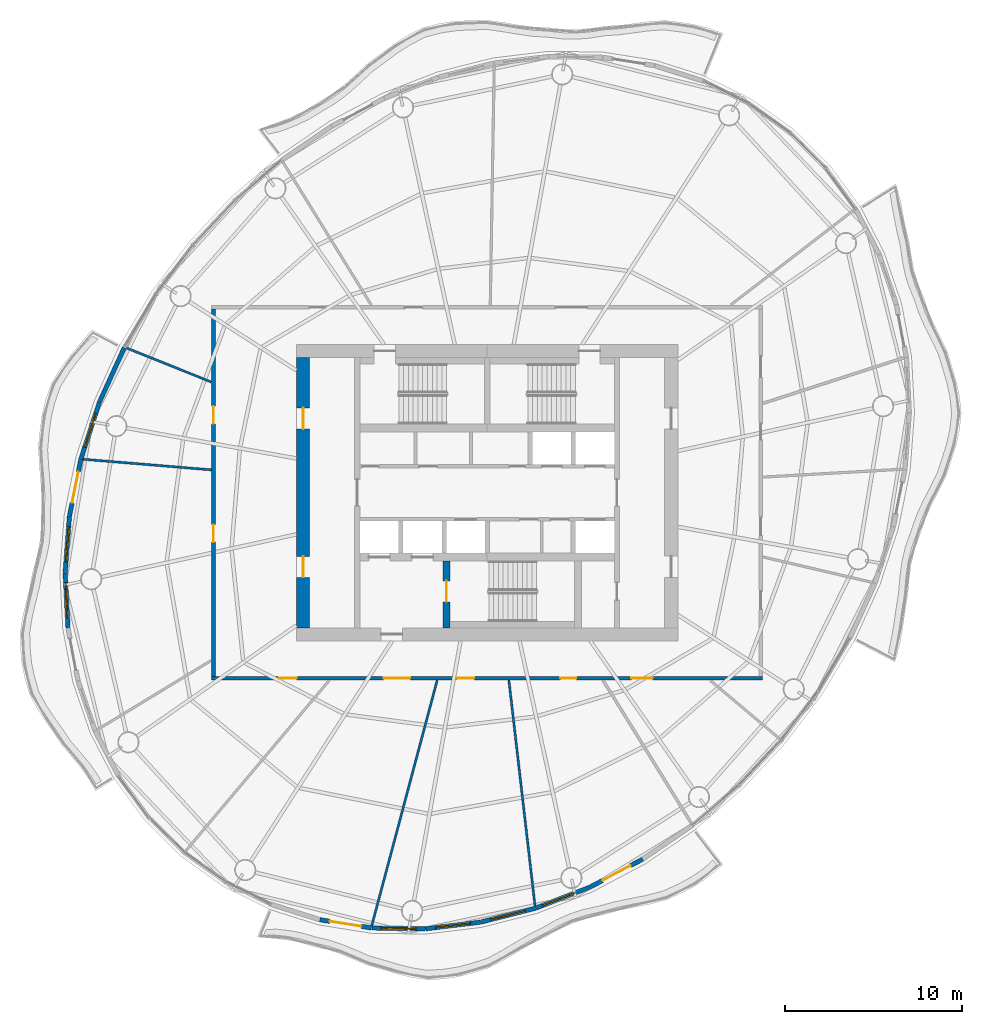
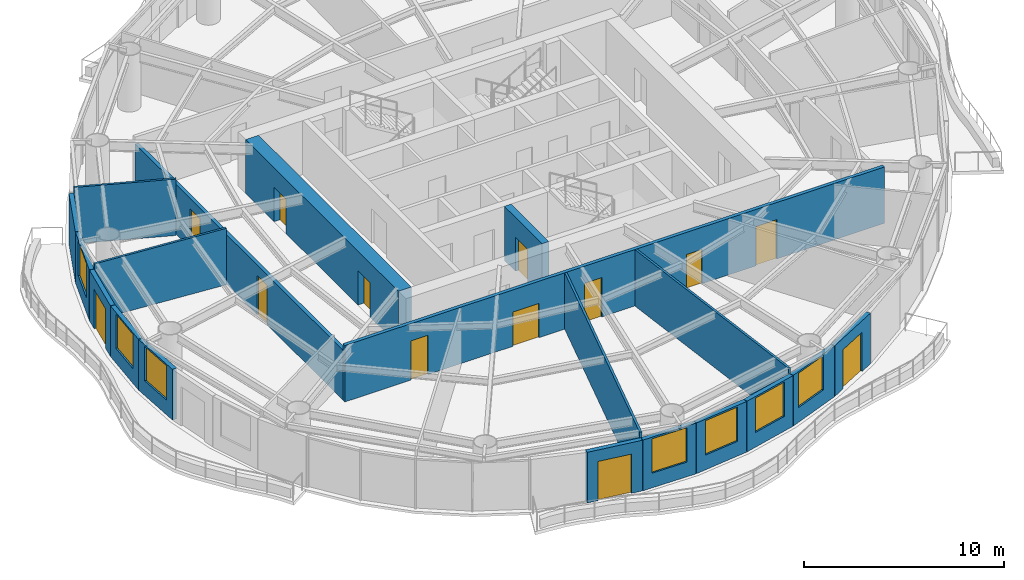
# One storey, part 8 of 14: 19 walls, 13 doors, 7 windows, 20 openings.
"""IFC4 building model written with IfcOpenShell, lengths in metres."""

from ifc_helpers import new_model, si_unit, direction, frame, frame_2d, origin, place, context, subcontext, project, spatial, rectangle, extrude, material, layer, layer_set, type_object, element, fill, save


model = new_model("IFC4")

# Units and contexts
model_context = context("Model", 3, precision=1e-05, world=origin(), true_north=direction((0.0, 1.0)))
body_context = subcontext(model_context, "Body", "Model", "MODEL_VIEW")
ifc_project = project(units=[si_unit("LENGTHUNIT", "METRE"), si_unit("AREAUNIT", "SQUARE_METRE"), si_unit("VOLUMEUNIT", "CUBIC_METRE"), si_unit("PLANEANGLEUNIT", "RADIAN"), si_unit("MASSUNIT", "GRAM", prefix="KILO")], contexts=[model_context])

# Site, building, storey
site_placement = place(None, origin())
site = spatial("IfcSite", under=ifc_project, at=site_placement, CompositionType="ELEMENT")
building_placement = place(site_placement, origin())
building = spatial("IfcBuilding", under=site, at=building_placement, Name="Vermilion Reach Broadcast Tower", CompositionType="ELEMENT")
storey_placement = place(building_placement, frame((0.0, 0.0, 231.699951171875)))
storey = spatial("IfcBuildingStorey", under=building, at=storey_placement, Name="L57", CompositionType="ELEMENT", Elevation=231.699951171875)

# Wall, opening, door
ifc_material_1 = material(Name="Concrete C60", Category="concrete")
ifc_layer_1 = layer(ifc_material_1, 0.39990234375)
ifc_layer_set_1 = layer_set([ifc_layer_1], Name="Core inner wall 400 mm Concrete C60")
wall_type_1 = type_object("IfcWallType", Name="Core inner wall 400 mm Concrete C60", PredefinedType="SHEAR", material=ifc_layer_set_1)
wall_1_placement = place(storey_placement, frame((-8.300048828125, -3.8798828125, 0.0), z_axis=(0.0, 0.0, 1.0), x_axis=(0.0, -1.0, 0.0)))
wall_1 = element("IfcWall", 1, at=wall_1_placement, inside=storey, type_object=wall_type_1, Name="L57 core wall wa", PredefinedType="SHEAR", context=body_context, shape_type="SweptSolid", body=[
    extrude(rectangle(XDim=3.77001953125, YDim=0.39990234375, at=frame_2d((1.885009765625, 0.0))), origin(), (0.0, 0.0, 1.0), 3.300048828125),
])
opening_1_placement = place(wall_1_placement, frame((1.110107421875, 0.0, 0.0)))
opening_1 = element("IfcOpeningElement", 2, at=opening_1_placement, cuts=wall_1, Name="Opening D01", PredefinedType="OPENING", context=body_context, shape_type="SweptSolid", body=[
    extrude(rectangle(XDim=1.199951171875, YDim=2.10009765625, at=frame_2d((0.60009765625, 1.050048828125))), frame((0.0, 0.2099609375, 0.0), z_axis=(0.0, -1.0, 0.0), x_axis=(1.0, 0.0, 0.0)), (0.0, 0.0, 1.0), 0.419921875),
])
ifc_material_2 = material(Name="Painted steel fire door", Category="steel")
door_type_1 = type_object("IfcDoorType", Name="Stair door 1200 x 2100", OperationType="DOUBLE_DOOR_SINGLE_SWING", PredefinedType="NOTDEFINED", material=ifc_material_2)
door_1_placement = place(opening_1_placement, origin())
door_1 = element("IfcDoor", 3, at=door_1_placement, inside=storey, type_object=door_type_1, Name="L57 stair door ST3", OperationType="DOUBLE_DOOR_SINGLE_SWING", OverallHeight=2.10009765625, OverallWidth=1.199951171875, PredefinedType="NOTDEFINED", context=body_context, shape_type="SweptSolid", body=[
    extrude(rectangle(XDim=1.199951171875, YDim=2.10009765625, at=frame_2d((0.60009765625, 1.050048828125))), frame((0.0, 0.02490234375, 0.0), z_axis=(0.0, -1.0, 0.0), x_axis=(1.0, 0.0, 0.0)), (0.0, 0.0, 1.0), 0.050048828125),
])
fill(opening_1, door_1)

# Wall, openings, doors
ifc_material_3 = material(Name="Concrete C60", Category="concrete")
ifc_layer_2 = layer(ifc_material_3, 0.75)
ifc_layer_set_2 = layer_set([ifc_layer_2], Name="Core outer wall 750 mm Concrete C60")
wall_type_2 = type_object("IfcWallType", Name="Core outer wall 750 mm Concrete C60", PredefinedType="SHEAR", material=ifc_layer_set_2)
wall_2_placement = place(storey_placement, frame((-16.425048828125, 7.64990234375, 0.0), z_axis=(0.0, 0.0, 1.0), x_axis=(0.0, -1.0, 0.0)))
wall_2 = element("IfcWall", 4, at=wall_2_placement, inside=storey, type_object=wall_type_2, Name="L57 core wall ow", PredefinedType="SHEAR", context=body_context, shape_type="SweptSolid", body=[
    extrude(rectangle(XDim=15.2998046875, YDim=0.75, at=frame_2d((7.64990234375, 0.0))), origin(), (0.0, 0.0, 1.0), 3.300048828125),
])
opening_2_placement = place(wall_2_placement, frame((11.25, 0.0, 0.0)))
opening_2 = element("IfcOpeningElement", 5, at=opening_2_placement, cuts=wall_2, Name="Opening D03", PredefinedType="OPENING", context=body_context, shape_type="SweptSolid", body=[
    extrude(rectangle(XDim=1.199951171875, YDim=2.10009765625, at=frame_2d((0.60009765625, 1.050048828125))), frame((0.0, 0.385009765625, 0.0), z_axis=(0.0, -1.0, 0.0), x_axis=(1.0, 0.0, 0.0)), (0.0, 0.0, 1.0), 0.77001953125),
])
opening_3_placement = place(wall_2_placement, frame((2.85009765625, 0.0, 0.0)))
opening_3 = element("IfcOpeningElement", 6, at=opening_3_placement, cuts=wall_2, Name="Opening D03", PredefinedType="OPENING", context=body_context, shape_type="SweptSolid", body=[
    extrude(rectangle(XDim=1.199951171875, YDim=2.10009765625, at=frame_2d((0.60009765625, 1.050048828125))), frame((0.0, 0.385009765625, 0.0), z_axis=(0.0, -1.0, 0.0), x_axis=(1.0, 0.0, 0.0)), (0.0, 0.0, 1.0), 0.77001953125),
])
ifc_material_4 = material(Name="Painted steel fire door", Category="steel")
door_type_2 = type_object("IfcDoorType", Name="Core lobby door 1200 x 2100", OperationType="DOUBLE_DOOR_SINGLE_SWING", PredefinedType="NOTDEFINED", material=ifc_material_4)
door_2_placement = place(opening_2_placement, origin())
door_2 = element("IfcDoor", 7, at=door_2_placement, inside=storey, type_object=door_type_2, Name="L57 slot door W0", OperationType="DOUBLE_DOOR_SINGLE_SWING", OverallHeight=2.10009765625, OverallWidth=1.199951171875, PredefinedType="NOTDEFINED", context=body_context, shape_type="SweptSolid", body=[
    extrude(rectangle(XDim=1.199951171875, YDim=2.10009765625, at=frame_2d((0.60009765625, 1.050048828125))), frame((0.0, 0.02490234375, 0.0), z_axis=(0.0, -1.0, 0.0), x_axis=(1.0, 0.0, 0.0)), (0.0, 0.0, 1.0), 0.050048828125),
])
fill(opening_2, door_2)
door_3_placement = place(opening_3_placement, origin())
door_3 = element("IfcDoor", 8, at=door_3_placement, inside=storey, type_object=door_type_2, Name="L57 slot door W1", OperationType="DOUBLE_DOOR_SINGLE_SWING", OverallHeight=2.10009765625, OverallWidth=1.199951171875, PredefinedType="NOTDEFINED", context=body_context, shape_type="SweptSolid", body=[
    extrude(rectangle(XDim=1.199951171875, YDim=2.10009765625, at=frame_2d((0.60009765625, 1.050048828125))), frame((0.0, 0.02490234375, 0.0), z_axis=(0.0, -1.0, 0.0), x_axis=(1.0, 0.0, 0.0)), (0.0, 0.0, 1.0), 0.050048828125),
])
fill(opening_3, door_3)

ifc_material_5 = material(Name="Fire-rated gypsum board partition")
ifc_layer_3 = layer(ifc_material_5, 0.199951171875)
ifc_layer_set_3 = layer_set([ifc_layer_3], Name="Corridor wall 200 fire-rated")
wall_type_3 = type_object("IfcWallType", Name="Corridor wall 200 fire-rated", PredefinedType="PARTITIONING", material=ifc_layer_set_3)
wall_3_placement = place(storey_placement, frame((9.60009765625, -10.5, 0.0), z_axis=(0.0, 0.0, 1.0), x_axis=(-1.0, 0.0, 0.0)))
wall_3 = element("IfcWall", 9, at=wall_3_placement, inside=storey, type_object=wall_type_3, Name="Corridor wall 57.S", PredefinedType="PARTITIONING", context=body_context, shape_type="SweptSolid", body=[
    extrude(rectangle(XDim=31.2001953125, YDim=0.199951171875, at=frame_2d((15.60009765625, 0.0))), origin(), (0.0, 0.0, 1.0), 3.449951171875),
])
opening_4_placement = place(wall_3_placement, frame((26.388916015625, 0.0, 0.0)))
opening_4 = element("IfcOpeningElement", 10, at=opening_4_placement, cuts=wall_3, Name="Opening D23", PredefinedType="OPENING", context=body_context, shape_type="SweptSolid", body=[
    extrude(rectangle(XDim=1.0, YDim=2.39990234375, at=frame_2d((0.5, 1.199951171875))), frame((0.0, 0.10986328125, 0.0), z_axis=(0.0, -1.0, 0.0), x_axis=(1.0, 0.0, 0.0)), (0.0, 0.0, 1.0), 0.219970703125),
])
opening_5_placement = place(wall_3_placement, frame((19.96875, 0.0, 0.0)))
opening_5 = element("IfcOpeningElement", 11, at=opening_5_placement, cuts=wall_3, Name="Opening D24", PredefinedType="OPENING", context=body_context, shape_type="SweptSolid", body=[
    extrude(rectangle(XDim=1.5, YDim=2.10009765625, at=frame_2d((0.75, 1.050048828125))), frame((0.0, 0.10986328125, 0.0), z_axis=(0.0, -1.0, 0.0), x_axis=(1.0, 0.0, 0.0)), (0.0, 0.0, 1.0), 0.219970703125),
])
opening_6_placement = place(wall_3_placement, frame((16.344482421875, 0.0, 0.0)))
opening_6 = element("IfcOpeningElement", 12, at=opening_6_placement, cuts=wall_3, Name="Opening D23", PredefinedType="OPENING", context=body_context, shape_type="SweptSolid", body=[
    extrude(rectangle(XDim=1.0, YDim=2.39990234375, at=frame_2d((0.5, 1.199951171875))), frame((0.0, 0.10986328125, 0.0), z_axis=(0.0, -1.0, 0.0), x_axis=(1.0, 0.0, 0.0)), (0.0, 0.0, 1.0), 0.219970703125),
])
opening_7_placement = place(wall_3_placement, frame((10.548583984375, 0.0, 0.0)))
opening_7 = element("IfcOpeningElement", 13, at=opening_7_placement, cuts=wall_3, Name="Opening D22", PredefinedType="OPENING", context=body_context, shape_type="SweptSolid", body=[
    extrude(rectangle(XDim=0.89990234375, YDim=2.10009765625, at=frame_2d((0.449951171875, 1.050048828125))), frame((0.0, 0.10986328125, 0.0), z_axis=(0.0, -1.0, 0.0), x_axis=(1.0, 0.0, 0.0)), (0.0, 0.0, 1.0), 0.219970703125),
])
opening_8_placement = place(wall_3_placement, frame((6.227783203125, 0.0, 0.0)))
opening_8 = element("IfcOpeningElement", 14, at=opening_8_placement, cuts=wall_3, Name="Opening D29", PredefinedType="OPENING", context=body_context, shape_type="SweptSolid", body=[
    extrude(rectangle(XDim=1.199951171875, YDim=2.39990234375, at=frame_2d((0.60009765625, 1.199951171875))), frame((0.0, 0.10986328125, 0.0), z_axis=(0.0, -1.0, 0.0), x_axis=(1.0, 0.0, 0.0)), (0.0, 0.0, 1.0), 0.219970703125),
])
ifc_material_6 = material(Name="Timber door leaf", Category="wood")
door_type_3 = type_object("IfcDoorType", Name="Door pair 1500x2100", OperationType="NOTDEFINED", PredefinedType="DOOR", material=ifc_material_6)
door_4_placement = place(opening_5_placement, origin())
door_4 = element("IfcDoor", 15, at=door_4_placement, inside=storey, type_object=door_type_3, Name="Door 57.06", OperationType="DOUBLE_DOOR_SINGLE_SWING", OverallHeight=2.10009765625, OverallWidth=1.5, PredefinedType="DOOR", context=body_context, shape_type="SweptSolid", body=[
    extrude(rectangle(XDim=1.5, YDim=2.10009765625, at=frame_2d((0.75, 1.050048828125))), frame((0.0, 0.02490234375, 0.0), z_axis=(0.0, -1.0, 0.0), x_axis=(1.0, 0.0, 0.0)), (0.0, 0.0, 1.0), 0.050048828125),
])
fill(opening_5, door_4)
ifc_material_7 = material(Name="Veneered timber door leaf", Category="wood")
door_type_4 = type_object("IfcDoorType", Name="Door single 1000x2400", OperationType="NOTDEFINED", PredefinedType="DOOR", material=ifc_material_7)
door_5_placement = place(opening_4_placement, origin())
door_5 = element("IfcDoor", 16, at=door_5_placement, inside=storey, type_object=door_type_4, Name="Door 57.05", OperationType="SINGLE_SWING_LEFT", OverallHeight=2.39990234375, OverallWidth=1.0, PredefinedType="DOOR", context=body_context, shape_type="SweptSolid", body=[
    extrude(rectangle(XDim=1.0, YDim=2.39990234375, at=frame_2d((0.5, 1.199951171875))), frame((0.0, 0.02490234375, 0.0), z_axis=(0.0, -1.0, 0.0), x_axis=(1.0, 0.0, 0.0)), (0.0, 0.0, 1.0), 0.050048828125),
])
fill(opening_4, door_5)
door_6_placement = place(opening_6_placement, origin())
door_6 = element("IfcDoor", 17, at=door_6_placement, inside=storey, type_object=door_type_4, Name="Door 57.07", OperationType="SINGLE_SWING_RIGHT", OverallHeight=2.39990234375, OverallWidth=1.0, PredefinedType="DOOR", context=body_context, shape_type="SweptSolid", body=[
    extrude(rectangle(XDim=1.0, YDim=2.39990234375, at=frame_2d((0.5, 1.199951171875))), frame((0.0, 0.02490234375, 0.0), z_axis=(0.0, -1.0, 0.0), x_axis=(1.0, 0.0, 0.0)), (0.0, 0.0, 1.0), 0.050048828125),
])
fill(opening_6, door_6)
ifc_material_8 = material(Name="Veneered timber door leaf", Category="wood")
door_type_5 = type_object("IfcDoorType", Name="Door single 1200x2400", OperationType="NOTDEFINED", PredefinedType="DOOR", material=ifc_material_8)
door_7_placement = place(opening_8_placement, origin())
door_7 = element("IfcDoor", 18, at=door_7_placement, inside=storey, type_object=door_type_5, Name="Door 57.09", OperationType="SINGLE_SWING_RIGHT", OverallHeight=2.39990234375, OverallWidth=1.199951171875, PredefinedType="DOOR", context=body_context, shape_type="SweptSolid", body=[
    extrude(rectangle(XDim=1.199951171875, YDim=2.39990234375, at=frame_2d((0.60009765625, 1.199951171875))), frame((0.0, 0.02490234375, 0.0), z_axis=(0.0, -1.0, 0.0), x_axis=(1.0, 0.0, 0.0)), (0.0, 0.0, 1.0), 0.050048828125),
])
fill(opening_8, door_7)
ifc_material_9 = material(Name="Timber door leaf", Category="wood")
door_type_6 = type_object("IfcDoorType", Name="Door single 900x2100", OperationType="NOTDEFINED", PredefinedType="DOOR", material=ifc_material_9)
door_8_placement = place(opening_7_placement, origin())
door_8 = element("IfcDoor", 19, at=door_8_placement, inside=storey, type_object=door_type_6, Name="Door 57.08", OperationType="SINGLE_SWING_LEFT", OverallHeight=2.10009765625, OverallWidth=0.89990234375, PredefinedType="DOOR", context=body_context, shape_type="SweptSolid", body=[
    extrude(rectangle(XDim=0.89990234375, YDim=2.10009765625, at=frame_2d((0.449951171875, 1.050048828125))), frame((0.0, 0.02490234375, 0.0), z_axis=(0.0, -1.0, 0.0), x_axis=(1.0, 0.0, 0.0)), (0.0, 0.0, 1.0), 0.050048828125),
])
fill(opening_7, door_8)

# Walls
ifc_material_10 = material(Name="Fire-rated plasterboard on steel stud", Category="steel")
ifc_layer_4 = layer(ifc_material_10, 0.125)
ifc_layer_set_4 = layer_set([ifc_layer_4], Name="Partition 125 fire-rated stud")
wall_type_4 = type_object("IfcWallType", Name="Partition 125 fire-rated stud", PredefinedType="PARTITIONING", material=ifc_layer_set_4)
wall_4_placement = place(storey_placement, frame((-26.4228515625, 8.1943359375, 0.0), z_axis=(0.0, 0.0, 1.0), x_axis=(0.928078954296, -0.372383477872, 0.0)))
element("IfcWall", 20, at=wall_4_placement, inside=storey, type_object=wall_type_4, Name="Partition 57.03", PredefinedType="PARTITIONING", context=body_context, shape_type="SweptSolid", body=[
    extrude(rectangle(XDim=5.17138671875, YDim=0.125, at=frame_2d((2.585693359375, 0.0))), origin(), (0.0, 0.0, 1.0), 3.449951171875),
])
wall_5_placement = place(storey_placement, frame((-28.883544921875, 1.89404296875, 0.0), z_axis=(0.0, 0.0, 1.0), x_axis=(0.996590797754, -0.08250322316, 0.0)))
element("IfcWall", 21, at=wall_5_placement, inside=storey, type_object=wall_type_4, Name="Partition 57.04", PredefinedType="PARTITIONING", context=body_context, shape_type="SweptSolid", body=[
    extrude(rectangle(XDim=7.30322265625, YDim=0.125, at=frame_2d((3.651611328125, 0.0))), origin(), (0.0, 0.0, 1.0), 3.449951171875),
])
wall_6_placement = place(storey_placement, frame((-12.537841796875, -24.52783203125, 0.0), z_axis=(0.0, 0.0, 1.0), x_axis=(0.257564493881, 0.966261109376, 0.0)))
element("IfcWall", 22, at=wall_6_placement, inside=storey, type_object=wall_type_4, Name="Partition 57.07", PredefinedType="PARTITIONING", context=body_context, shape_type="SweptSolid", body=[
    extrude(rectangle(XDim=14.3974609375, YDim=0.125, at=frame_2d((7.19873046875, 0.0))), origin(), (0.0, 0.0, 1.0), 3.449951171875),
])
wall_7_placement = place(storey_placement, frame((-3.2890625, -23.41357421875, 0.0), z_axis=(0.0, 0.0, 1.0), x_axis=(-0.115007216791, 0.993364656149, 0.0)))
element("IfcWall", 23, at=wall_7_placement, inside=storey, type_object=wall_type_4, Name="Partition 57.08", PredefinedType="PARTITIONING", context=body_context, shape_type="SweptSolid", body=[
    extrude(rectangle(XDim=12.891845703125, YDim=0.125, at=frame_2d((6.44580078125, 0.0))), origin(), (0.0, 0.0, 1.0), 3.449951171875),
])
ifc_material_11 = material(Name="Terracotta rainscreen cladding", Category="masonry")
ifc_layer_5 = layer(ifc_material_11, 0.25)
ifc_layer_set_5 = layer_set([ifc_layer_5], Name="Terracotta rainscreen wall 250")
wall_type_5 = type_object("IfcWallType", Name="Terracotta rainscreen wall 250", PredefinedType="SOLIDWALL", material=ifc_layer_set_5)
wall_8_placement = place(storey_placement, frame((-26.556396484375, 8.202392578125, 0.0), z_axis=(0.0, 0.0, 1.0), x_axis=(-0.415284514337, -0.909691580785, 0.0)))
element("IfcWall", 24, at=wall_8_placement, inside=storey, type_object=wall_type_5, Name="External wall L57 14", PredefinedType="SOLIDWALL", context=body_context, shape_type="SweptSolid", body=[
    extrude(rectangle(XDim=3.36328125, YDim=0.25, at=frame_2d((1.681640625, 0.0))), origin(), (0.0, 0.0, 1.0), 3.10009765625),
])

# Wall, opening, window
wall_9_placement = place(storey_placement, frame((-27.961181640625, 5.122314453125, 0.0), z_axis=(0.0, 0.0, 1.0), x_axis=(-0.310298321168, -0.950639233295, 0.0)))
wall_9 = element("IfcWall", 25, at=wall_9_placement, inside=storey, type_object=wall_type_5, Name="External wall L57 15", PredefinedType="SOLIDWALL", context=body_context, shape_type="SweptSolid", body=[
    extrude(rectangle(XDim=3.35107421875, YDim=0.25, at=frame_2d((1.675537109375, 0.0))), origin(), (0.0, 0.0, 1.0), 3.10009765625),
])
opening_9_placement = place(wall_9_placement, frame((0.675537109375, 0.0, 0.89990234375)))
opening_9 = element("IfcOpeningElement", 26, at=opening_9_placement, cuts=wall_9, Name="Opening W03", PredefinedType="OPENING", context=body_context, shape_type="SweptSolid", body=[
    extrude(rectangle(XDim=2.0, YDim=2.10009765625, at=frame_2d((1.0, 1.050048828125))), frame((0.0, 0.135009765625, 0.0), z_axis=(0.0, -1.0, 0.0), x_axis=(1.0, 0.0, 0.0)), (0.0, 0.0, 1.0), 0.27001953125),
])
ifc_material_12 = material(Name="Low-e laminated clear glass in aluminium frame", Category="aluminium")
window_type = type_object("IfcWindowType", Name="Punched window 2000 x 2100 sill 900", PartitioningType="SINGLE_PANEL", PredefinedType="WINDOW", material=ifc_material_12)
window_1_placement = place(opening_9_placement, origin())
window_1 = element("IfcWindow", 27, at=window_1_placement, inside=storey, type_object=window_type, Name="Window L57 15", OverallHeight=2.10009765625, OverallWidth=2.0, PartitioningType="SINGLE_PANEL", PredefinedType="WINDOW", context=body_context, shape_type="SweptSolid", body=[
    extrude(rectangle(XDim=2.0, YDim=2.10009765625, at=frame_2d((1.0, 1.050048828125))), frame((0.0, 0.030029296875, 0.0), z_axis=(0.0, -1.0, 0.0), x_axis=(1.0, 0.0, 0.0)), (0.0, 0.0, 1.0), 0.06005859375),
])
fill(opening_9, window_1)

# Wall, opening, door
wall_10_placement = place(storey_placement, frame((-29.006591796875, 1.914794921875, 0.0), z_axis=(0.0, 0.0, 1.0), x_axis=(-0.197275160693, -0.980348158041, 0.0)))
wall_10 = element("IfcWall", 28, at=wall_10_placement, inside=storey, type_object=wall_type_5, Name="External wall L57 16", PredefinedType="SOLIDWALL", context=body_context, shape_type="SweptSolid", body=[
    extrude(rectangle(XDim=3.28076171875, YDim=0.25, at=frame_2d((1.640380859375, 0.0))), origin(), (0.0, 0.0, 1.0), 3.10009765625),
])
opening_10_placement = place(wall_10_placement, frame((0.739990234375, 0.0, 0.0)))
opening_10 = element("IfcOpeningElement", 29, at=opening_10_placement, cuts=wall_10, Name="Opening D70", PredefinedType="OPENING", context=body_context, shape_type="SweptSolid", body=[
    extrude(rectangle(XDim=1.800048828125, YDim=2.39990234375, at=frame_2d((0.89990234375, 1.199951171875))), frame((0.0, 0.135009765625, 0.0), z_axis=(0.0, -1.0, 0.0), x_axis=(1.0, 0.0, 0.0)), (0.0, 0.0, 1.0), 0.27001953125),
])
ifc_material_13 = material(Name="Low-e laminated clear glass in aluminium frame", Category="aluminium")
door_type_7 = type_object("IfcDoorType", Name="Balcony sliding door 1800 x 2400", OperationType="DOUBLE_DOOR_SLIDING", PredefinedType="DOOR", material=ifc_material_13)
door_9_placement = place(opening_10_placement, origin())
door_9 = element("IfcDoor", 30, at=door_9_placement, inside=storey, type_object=door_type_7, Name="Balcony door L57 run 04", OperationType="DOUBLE_DOOR_SLIDING", OverallHeight=2.39990234375, OverallWidth=1.800048828125, PredefinedType="DOOR", context=body_context, shape_type="SweptSolid", body=[
    extrude(rectangle(XDim=1.800048828125, YDim=2.39990234375, at=frame_2d((0.89990234375, 1.199951171875))), frame((0.0, 0.02490234375, 0.0), z_axis=(0.0, -1.0, 0.0), x_axis=(1.0, 0.0, 0.0)), (0.0, 0.0, 1.0), 0.050048828125),
])
fill(opening_10, door_9)

# Wall, opening, window
wall_11_placement = place(storey_placement, frame((-29.656982421875, -1.324462890625, 0.0), z_axis=(0.0, 0.0, 1.0), x_axis=(-0.076358161895, -0.997080453681, 0.0)))
wall_11 = element("IfcWall", 31, at=wall_11_placement, inside=storey, type_object=wall_type_5, Name="External wall L57 17", PredefinedType="SOLIDWALL", context=body_context, shape_type="SweptSolid", body=[
    extrude(rectangle(XDim=3.200439453125, YDim=0.25, at=frame_2d((1.60009765625, 0.0))), origin(), (0.0, 0.0, 1.0), 3.10009765625),
])
opening_11_placement = place(wall_11_placement, frame((0.600341796875, 0.0, 0.89990234375)))
opening_11 = element("IfcOpeningElement", 32, at=opening_11_placement, cuts=wall_11, Name="Opening W03", PredefinedType="OPENING", context=body_context, shape_type="SweptSolid", body=[
    extrude(rectangle(XDim=2.0, YDim=2.10009765625, at=frame_2d((1.0, 1.050048828125))), frame((0.0, 0.135009765625, 0.0), z_axis=(0.0, -1.0, 0.0), x_axis=(1.0, 0.0, 0.0)), (0.0, 0.0, 1.0), 0.27001953125),
])
window_2_placement = place(opening_11_placement, origin())
window_2 = element("IfcWindow", 33, at=window_2_placement, inside=storey, type_object=window_type, Name="Window L57 17", OverallHeight=2.10009765625, OverallWidth=2.0, PartitioningType="SINGLE_PANEL", PredefinedType="WINDOW", context=body_context, shape_type="SweptSolid", body=[
    extrude(rectangle(XDim=2.0, YDim=2.10009765625, at=frame_2d((1.0, 1.050048828125))), frame((0.0, 0.030029296875, 0.0), z_axis=(0.0, -1.0, 0.0), x_axis=(1.0, 0.0, 0.0)), (0.0, 0.0, 1.0), 0.06005859375),
])
fill(opening_11, window_2)

wall_12_placement = place(storey_placement, frame((-29.901611328125, -4.539794921875, 0.0), z_axis=(0.0, 0.0, 1.0), x_axis=(0.051884190685, -0.99865310832, 0.0)))
wall_12 = element("IfcWall", 34, at=wall_12_placement, inside=storey, type_object=wall_type_5, Name="External wall L57 18", PredefinedType="SOLIDWALL", context=body_context, shape_type="SweptSolid", body=[
    extrude(rectangle(XDim=3.114990234375, YDim=0.25, at=frame_2d((1.5576171875, 0.0))), origin(), (0.0, 0.0, 1.0), 3.10009765625),
])
opening_12_placement = place(wall_12_placement, frame((0.5576171875, 0.0, 0.89990234375)))
opening_12 = element("IfcOpeningElement", 35, at=opening_12_placement, cuts=wall_12, Name="Opening W03", PredefinedType="OPENING", context=body_context, shape_type="SweptSolid", body=[
    extrude(rectangle(XDim=2.0, YDim=2.10009765625, at=frame_2d((1.0, 1.050048828125))), frame((0.0, 0.135009765625, 0.0), z_axis=(0.0, -1.0, 0.0), x_axis=(1.0, 0.0, 0.0)), (0.0, 0.0, 1.0), 0.27001953125),
])
window_3_placement = place(opening_12_placement, origin())
window_3 = element("IfcWindow", 36, at=window_3_placement, inside=storey, type_object=window_type, Name="Window L57 18", OverallHeight=2.10009765625, OverallWidth=2.0, PartitioningType="SINGLE_PANEL", PredefinedType="WINDOW", context=body_context, shape_type="SweptSolid", body=[
    extrude(rectangle(XDim=2.0, YDim=2.10009765625, at=frame_2d((1.0, 1.050048828125))), frame((0.0, 0.030029296875, 0.0), z_axis=(0.0, -1.0, 0.0), x_axis=(1.0, 0.0, 0.0)), (0.0, 0.0, 1.0), 0.06005859375),
])
fill(opening_12, window_3)

# Wall, opening, door
wall_13_placement = place(storey_placement, frame((-15.4765625, -24.1865234375, 0.0), z_axis=(0.0, 0.0, 1.0), x_axis=(0.987576514549, -0.157138880968, 0.0)))
wall_13 = element("IfcWall", 37, at=wall_13_placement, inside=storey, type_object=wall_type_5, Name="External wall L57 27", PredefinedType="SOLIDWALL", context=body_context, shape_type="SweptSolid", body=[
    extrude(rectangle(XDim=2.951904296875, YDim=0.25, at=frame_2d((1.47607421875, 0.0))), origin(), (0.0, 0.0, 1.0), 3.10009765625),
])
opening_13_placement = place(wall_13_placement, frame((0.575927734375, 0.0, 0.0)))
opening_13 = element("IfcOpeningElement", 38, at=opening_13_placement, cuts=wall_13, Name="Opening D70", PredefinedType="OPENING", context=body_context, shape_type="SweptSolid", body=[
    extrude(rectangle(XDim=1.800048828125, YDim=2.39990234375, at=frame_2d((0.89990234375, 1.199951171875))), frame((0.0, 0.135009765625, 0.0), z_axis=(0.0, -1.0, 0.0), x_axis=(1.0, 0.0, 0.0)), (0.0, 0.0, 1.0), 0.27001953125),
])
door_10_placement = place(opening_13_placement, origin())
door_10 = element("IfcDoor", 39, at=door_10_placement, inside=storey, type_object=door_type_7, Name="Balcony door L57 run 07", OperationType="DOUBLE_DOOR_SLIDING", OverallHeight=2.39990234375, OverallWidth=1.800048828125, PredefinedType="DOOR", context=body_context, shape_type="SweptSolid", body=[
    extrude(rectangle(XDim=1.800048828125, YDim=2.39990234375, at=frame_2d((0.89990234375, 1.199951171875))), frame((0.0, 0.02490234375, 0.0), z_axis=(0.0, -1.0, 0.0), x_axis=(1.0, 0.0, 0.0)), (0.0, 0.0, 1.0), 0.050048828125),
])
fill(opening_13, door_10)

# Wall, opening, window
wall_14_placement = place(storey_placement, frame((-12.53564453125, -24.652587890625, 0.0), z_axis=(0.0, 0.0, 1.0), x_axis=(0.999880339465, -0.015469542722, 0.0)))
wall_14 = element("IfcWall", 40, at=wall_14_placement, inside=storey, type_object=wall_type_5, Name="External wall L57 28", PredefinedType="SOLIDWALL", context=body_context, shape_type="SweptSolid", body=[
    extrude(rectangle(XDim=3.030029296875, YDim=0.25, at=frame_2d((1.51513671875, 0.0))), origin(), (0.0, 0.0, 1.0), 3.10009765625),
])
opening_14_placement = place(wall_14_placement, frame((0.51513671875, 0.0, 0.89990234375)))
opening_14 = element("IfcOpeningElement", 41, at=opening_14_placement, cuts=wall_14, Name="Opening W03", PredefinedType="OPENING", context=body_context, shape_type="SweptSolid", body=[
    extrude(rectangle(XDim=2.0, YDim=2.10009765625, at=frame_2d((1.0, 1.050048828125))), frame((0.0, 0.135009765625, 0.0), z_axis=(0.0, -1.0, 0.0), x_axis=(1.0, 0.0, 0.0)), (0.0, 0.0, 1.0), 0.27001953125),
])
window_4_placement = place(opening_14_placement, origin())
window_4 = element("IfcWindow", 42, at=window_4_placement, inside=storey, type_object=window_type, Name="Window L57 28", OverallHeight=2.10009765625, OverallWidth=2.0, PartitioningType="SINGLE_PANEL", PredefinedType="WINDOW", context=body_context, shape_type="SweptSolid", body=[
    extrude(rectangle(XDim=2.0, YDim=2.10009765625, at=frame_2d((1.0, 1.050048828125))), frame((0.0, 0.030029296875, 0.0), z_axis=(0.0, -1.0, 0.0), x_axis=(1.0, 0.0, 0.0)), (0.0, 0.0, 1.0), 0.06005859375),
])
fill(opening_14, window_4)

wall_15_placement = place(storey_placement, frame((-9.48095703125, -24.6982421875, 0.0), z_axis=(0.0, 0.0, 1.0), x_axis=(0.992831895077, 0.119519153773, 0.0)))
wall_15 = element("IfcWall", 43, at=wall_15_placement, inside=storey, type_object=wall_type_5, Name="External wall L57 29", PredefinedType="SOLIDWALL", context=body_context, shape_type="SweptSolid", body=[
    extrude(rectangle(XDim=3.114990234375, YDim=0.25, at=frame_2d((1.5576171875, 0.0))), origin(), (0.0, 0.0, 1.0), 3.10009765625),
])
opening_15_placement = place(wall_15_placement, frame((0.5576171875, 0.0, 0.89990234375)))
opening_15 = element("IfcOpeningElement", 44, at=opening_15_placement, cuts=wall_15, Name="Opening W03", PredefinedType="OPENING", context=body_context, shape_type="SweptSolid", body=[
    extrude(rectangle(XDim=2.0, YDim=2.10009765625, at=frame_2d((1.0, 1.050048828125))), frame((0.0, 0.135009765625, 0.0), z_axis=(0.0, -1.0, 0.0), x_axis=(1.0, 0.0, 0.0)), (0.0, 0.0, 1.0), 0.27001953125),
])
window_5_placement = place(opening_15_placement, origin())
window_5 = element("IfcWindow", 45, at=window_5_placement, inside=storey, type_object=window_type, Name="Window L57 29", OverallHeight=2.10009765625, OverallWidth=2.0, PartitioningType="SINGLE_PANEL", PredefinedType="WINDOW", context=body_context, shape_type="SweptSolid", body=[
    extrude(rectangle(XDim=2.0, YDim=2.10009765625, at=frame_2d((1.0, 1.050048828125))), frame((0.0, 0.030029296875, 0.0), z_axis=(0.0, -1.0, 0.0), x_axis=(1.0, 0.0, 0.0)), (0.0, 0.0, 1.0), 0.06005859375),
])
fill(opening_15, window_5)

wall_16_placement = place(storey_placement, frame((-6.364501953125, -24.321533203125, 0.0), z_axis=(0.0, 0.0, 1.0), x_axis=(0.969361212149, 0.245639655554, 0.0)))
wall_16 = element("IfcWall", 46, at=wall_16_placement, inside=storey, type_object=wall_type_5, Name="External wall L57 30", PredefinedType="SOLIDWALL", context=body_context, shape_type="SweptSolid", body=[
    extrude(rectangle(XDim=3.200439453125, YDim=0.25, at=frame_2d((1.60009765625, 0.0))), origin(), (0.0, 0.0, 1.0), 3.10009765625),
])
opening_16_placement = place(wall_16_placement, frame((0.600341796875, 0.0, 0.89990234375)))
opening_16 = element("IfcOpeningElement", 47, at=opening_16_placement, cuts=wall_16, Name="Opening W03", PredefinedType="OPENING", context=body_context, shape_type="SweptSolid", body=[
    extrude(rectangle(XDim=2.0, YDim=2.10009765625, at=frame_2d((1.0, 1.050048828125))), frame((0.0, 0.135009765625, 0.0), z_axis=(0.0, -1.0, 0.0), x_axis=(1.0, 0.0, 0.0)), (0.0, 0.0, 1.0), 0.27001953125),
])
window_6_placement = place(opening_16_placement, origin())
window_6 = element("IfcWindow", 48, at=window_6_placement, inside=storey, type_object=window_type, Name="Window L57 30", OverallHeight=2.10009765625, OverallWidth=2.0, PartitioningType="SINGLE_PANEL", PredefinedType="WINDOW", context=body_context, shape_type="SweptSolid", body=[
    extrude(rectangle(XDim=2.0, YDim=2.10009765625, at=frame_2d((1.0, 1.050048828125))), frame((0.0, 0.030029296875, 0.0), z_axis=(0.0, -1.0, 0.0), x_axis=(1.0, 0.0, 0.0)), (0.0, 0.0, 1.0), 0.06005859375),
])
fill(opening_16, window_6)

wall_17_placement = place(storey_placement, frame((-3.239990234375, -23.5283203125, 0.0), z_axis=(0.0, 0.0, 1.0), x_axis=(0.932220972819, 0.361889565803, 0.0)))
wall_17 = element("IfcWall", 49, at=wall_17_placement, inside=storey, type_object=wall_type_5, Name="External wall L57 31", PredefinedType="SOLIDWALL", context=body_context, shape_type="SweptSolid", body=[
    extrude(rectangle(XDim=3.28076171875, YDim=0.25, at=frame_2d((1.640380859375, 0.0))), origin(), (0.0, 0.0, 1.0), 3.10009765625),
])
opening_17_placement = place(wall_17_placement, frame((0.389892578125, 0.0, 0.89990234375)))
opening_17 = element("IfcOpeningElement", 50, at=opening_17_placement, cuts=wall_17, Name="Opening W03", PredefinedType="OPENING", context=body_context, shape_type="SweptSolid", body=[
    extrude(rectangle(XDim=2.0, YDim=2.10009765625, at=frame_2d((1.0, 1.050048828125))), frame((0.0, 0.135009765625, 0.0), z_axis=(0.0, -1.0, 0.0), x_axis=(1.0, 0.0, 0.0)), (0.0, 0.0, 1.0), 0.27001953125),
])
window_7_placement = place(opening_17_placement, origin())
window_7 = element("IfcWindow", 51, at=window_7_placement, inside=storey, type_object=window_type, Name="Window L57 31", OverallHeight=2.10009765625, OverallWidth=2.0, PartitioningType="SINGLE_PANEL", PredefinedType="WINDOW", context=body_context, shape_type="SweptSolid", body=[
    extrude(rectangle(XDim=2.0, YDim=2.10009765625, at=frame_2d((1.0, 1.050048828125))), frame((0.0, 0.030029296875, 0.0), z_axis=(0.0, -1.0, 0.0), x_axis=(1.0, 0.0, 0.0)), (0.0, 0.0, 1.0), 0.06005859375),
])
fill(opening_17, window_7)

# Wall, opening, door
wall_18_placement = place(storey_placement, frame((-0.1611328125, -22.33154296875, 0.0), z_axis=(0.0, 0.0, 1.0), x_axis=(0.883644332984, 0.46815883286, 0.0)))
wall_18 = element("IfcWall", 52, at=wall_18_placement, inside=storey, type_object=wall_type_5, Name="External wall L57 32", PredefinedType="SOLIDWALL", context=body_context, shape_type="SweptSolid", body=[
    extrude(rectangle(XDim=3.35107421875, YDim=0.25, at=frame_2d((1.675537109375, 0.0))), origin(), (0.0, 0.0, 1.0), 3.10009765625),
])
opening_18_placement = place(wall_18_placement, frame((0.77587890625, 0.0, 0.0)))
opening_18 = element("IfcOpeningElement", 53, at=opening_18_placement, cuts=wall_18, Name="Opening D70", PredefinedType="OPENING", context=body_context, shape_type="SweptSolid", body=[
    extrude(rectangle(XDim=1.800048828125, YDim=2.39990234375, at=frame_2d((0.89990234375, 1.199951171875))), frame((0.0, 0.135009765625, 0.0), z_axis=(0.0, -1.0, 0.0), x_axis=(1.0, 0.0, 0.0)), (0.0, 0.0, 1.0), 0.27001953125),
])
door_11_placement = place(opening_18_placement, origin())
door_11 = element("IfcDoor", 54, at=door_11_placement, inside=storey, type_object=door_type_7, Name="Balcony door L57 run 08", OperationType="DOUBLE_DOOR_SLIDING", OverallHeight=2.39990234375, OverallWidth=1.800048828125, PredefinedType="DOOR", context=body_context, shape_type="SweptSolid", body=[
    extrude(rectangle(XDim=1.800048828125, YDim=2.39990234375, at=frame_2d((0.89990234375, 1.199951171875))), frame((0.0, 0.02490234375, 0.0), z_axis=(0.0, -1.0, 0.0), x_axis=(1.0, 0.0, 0.0)), (0.0, 0.0, 1.0), 0.050048828125),
])
fill(opening_18, door_11)

# Wall, openings, doors
ifc_material_14 = material(Name="Fire-rated gypsum board partition")
ifc_layer_6 = layer(ifc_material_14, 0.199951171875)
ifc_layer_set_6 = layer_set([ifc_layer_6], Name="Under girder: Corridor wall 200 fire-rated")
wall_type_6 = type_object("IfcWallType", Name="Under girder: Corridor wall 200 fire-rated", PredefinedType="PARTITIONING", material=ifc_layer_set_6)
wall_19_placement = place(storey_placement, frame((-21.5, -10.39990234375, 0.0), z_axis=(0.0, 0.0, 1.0), x_axis=(0.0, 1.0, 0.0)))
wall_19 = element("IfcWall", 55, at=wall_19_placement, inside=storey, type_object=wall_type_6, Name="Corridor wall 57.W", PredefinedType="PARTITIONING", context=body_context, shape_type="SweptSolid", body=[
    extrude(rectangle(XDim=20.7998046875, YDim=0.199951171875, at=frame_2d((10.39990234375, 0.0))), origin(), (0.0, 0.0, 1.0), 3.050048828125),
])
opening_19_placement = place(wall_19_placement, frame((14.303955078125, 0.0, 0.0)))
opening_19 = element("IfcOpeningElement", 56, at=opening_19_placement, cuts=wall_19, Name="Opening D23", PredefinedType="OPENING", context=body_context, shape_type="SweptSolid", body=[
    extrude(rectangle(XDim=1.0, YDim=2.39990234375, at=frame_2d((0.5, 1.199951171875))), frame((0.0, 0.10986328125, 0.0), z_axis=(0.0, -1.0, 0.0), x_axis=(1.0, 0.0, 0.0)), (0.0, 0.0, 1.0), 0.219970703125),
])
opening_20_placement = place(wall_19_placement, frame((7.593017578125, 0.0, 0.0)))
opening_20 = element("IfcOpeningElement", 57, at=opening_20_placement, cuts=wall_19, Name="Opening D23", PredefinedType="OPENING", context=body_context, shape_type="SweptSolid", body=[
    extrude(rectangle(XDim=1.0, YDim=2.39990234375, at=frame_2d((0.5, 1.199951171875))), frame((0.0, 0.10986328125, 0.0), z_axis=(0.0, -1.0, 0.0), x_axis=(1.0, 0.0, 0.0)), (0.0, 0.0, 1.0), 0.219970703125),
])
door_12_placement = place(opening_19_placement, origin())
door_12 = element("IfcDoor", 58, at=door_12_placement, inside=storey, type_object=door_type_4, Name="Door 57.03", OperationType="SINGLE_SWING_RIGHT", OverallHeight=2.39990234375, OverallWidth=1.0, PredefinedType="DOOR", context=body_context, shape_type="SweptSolid", body=[
    extrude(rectangle(XDim=1.0, YDim=2.39990234375, at=frame_2d((0.5, 1.199951171875))), frame((0.0, 0.02490234375, 0.0), z_axis=(0.0, -1.0, 0.0), x_axis=(1.0, 0.0, 0.0)), (0.0, 0.0, 1.0), 0.050048828125),
])
fill(opening_19, door_12)
door_13_placement = place(opening_20_placement, origin())
door_13 = element("IfcDoor", 59, at=door_13_placement, inside=storey, type_object=door_type_4, Name="Door 57.04", OperationType="SINGLE_SWING_RIGHT", OverallHeight=2.39990234375, OverallWidth=1.0, PredefinedType="DOOR", context=body_context, shape_type="SweptSolid", body=[
    extrude(rectangle(XDim=1.0, YDim=2.39990234375, at=frame_2d((0.5, 1.199951171875))), frame((0.0, 0.02490234375, 0.0), z_axis=(0.0, -1.0, 0.0), x_axis=(1.0, 0.0, 0.0)), (0.0, 0.0, 1.0), 0.050048828125),
])
fill(opening_20, door_13)

save(model, "model.ifc")
